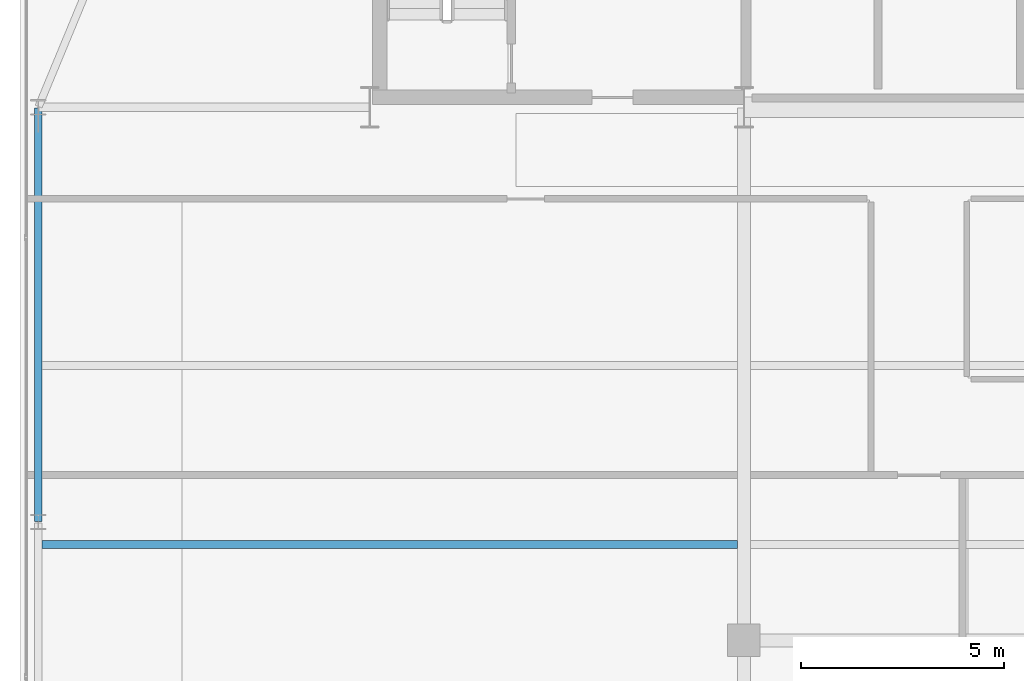
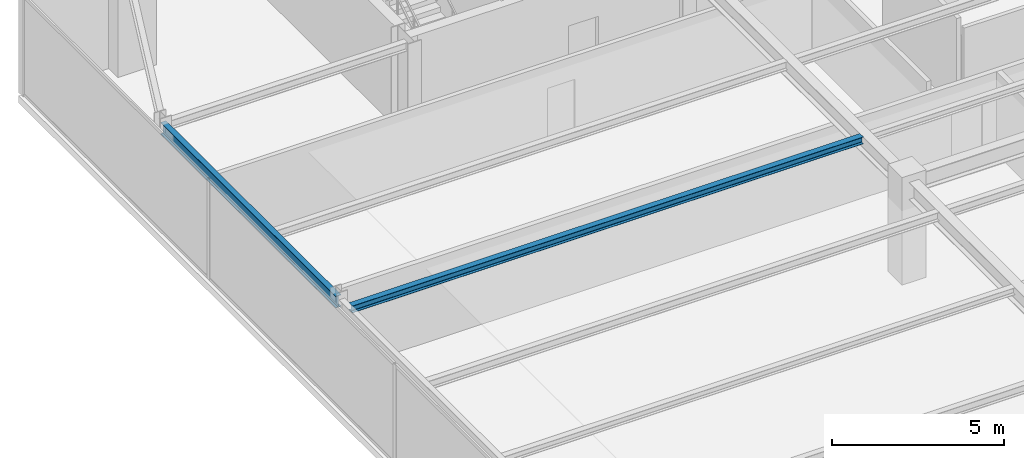
# One storey, part 11 of 31: 2 beams.
"""IFC4 building model written with IfcOpenShell, lengths in metres."""

from ifc_helpers import new_model, si_unit, direction, frame, origin, origin_2d, place, context, subcontext, project, spatial, i_section, extrude, source, transform, mapped, material, material_profile, profile_set, type_object, type_shapes, element, save


model = new_model("IFC4")

# Units and contexts
model_context = context("Model", 3, precision=1e-05, world=origin(), true_north=direction((0.0, 1.0)))
body_context = subcontext(model_context, "Body", "Model", "MODEL_VIEW")
ifc_project = project(units=[si_unit("LENGTHUNIT", "METRE"), si_unit("AREAUNIT", "SQUARE_METRE"), si_unit("VOLUMEUNIT", "CUBIC_METRE"), si_unit("PLANEANGLEUNIT", "RADIAN"), si_unit("MASSUNIT", "GRAM", prefix="KILO")], contexts=[model_context])

# Site, building, storey
site_placement = place(None, origin())
site = spatial("IfcSite", under=ifc_project, at=site_placement, CompositionType="ELEMENT")
building_placement = place(site_placement, origin())
building = spatial("IfcBuilding", under=site, at=building_placement, Name="Varnel Quay Broadcast Tower", CompositionType="ELEMENT")
storey_placement = place(building_placement, frame((0.0, 0.0, 157.199951171875)))
storey = spatial("IfcBuildingStorey", under=building, at=storey_placement, Name="L38", CompositionType="ELEMENT", Elevation=157.199951171875)

# Beams
ifc_material = material(Name="Structural Steel CSA G40.21 350W", Category="steel")
ifc_material_profile_1 = material_profile(ifc_material, i_section(OverallWidth=0.180908203125, OverallDepth=0.4169921875, WebThickness=0.010986328125, FlangeThickness=0.018310546875, FilletRadius=0.011962890625, at=origin_2d()), Name="W410X85")
ifc_profile_set_1 = profile_set([ifc_material_profile_1], Name="Structural Steel CSA G40.21 350W")
beam_type_1 = type_object("IfcBeamType", Name="Beam_W410X85", PredefinedType="SPANDREL", material=ifc_profile_set_1)
shared_shape_1 = source(origin(), body_context, "Body", "SweptSolid", [
    extrude(i_section(OverallWidth=0.180908203125, OverallDepth=0.4169921875, WebThickness=0.010986328125, FlangeThickness=0.018310546875, FilletRadius=0.011962890625, at=origin_2d()), origin(), (0.0, 0.0, 1.0), 10.16015625),
])
type_shapes(beam_type_1, [shared_shape_1])
beam_1_placement = place(storey_placement, frame((7.449951171875, 25.419921875, 3.341552734375), z_axis=(0.0, 1.0, 0.0), x_axis=(-1.0, 0.0, 0.0)))
element("IfcBeam", 1, at=beam_1_placement, inside=storey, type_object=beam_type_1, Name="L38 West Spandrel TC-W2-TC-W3", PredefinedType="SPANDREL", context=body_context, shape_type="MappedRepresentation", body=[
    mapped(shared_shape_1, transform((0.0, 0.0, 0.0), x_axis=(1.0, 0.0, 0.0), y_axis=(0.0, 1.0, 0.0), z_axis=(0.0, 0.0, 1.0), scale=1.0)),
])
ifc_material_profile_2 = material_profile(ifc_material, i_section(OverallWidth=0.201904296875, OverallDepth=0.2470703125, WebThickness=0.00732421875, FlangeThickness=0.010986328125, FilletRadius=0.010986328125, at=origin_2d()), Name="W250X49")
ifc_profile_set_2 = profile_set([ifc_material_profile_2], Name="Structural Steel CSA G40.21 350W")
beam_type_2 = type_object("IfcBeamType", Name="Beam_W250X49", PredefinedType="JOIST", material=ifc_profile_set_2)
shared_shape_2 = source(origin(), body_context, "Body", "SweptSolid", [
    extrude(i_section(OverallWidth=0.201904296875, OverallDepth=0.2470703125, WebThickness=0.00732421875, FlangeThickness=0.010986328125, FilletRadius=0.010986328125, at=origin_2d()), origin(), (0.0, 0.0, 1.0), 17.107177734375),
])
type_shapes(beam_type_2, [shared_shape_2])
beam_2_placement = place(storey_placement, frame((7.535400390625, 24.85009765625, 3.426513671875), z_axis=(1.0, 0.0, 0.0), x_axis=(0.0, 1.0, 0.0)))
element("IfcBeam", 2, at=beam_2_placement, inside=storey, type_object=beam_type_2, Name="L38 West Floor Joist 4", PredefinedType="JOIST", context=body_context, shape_type="MappedRepresentation", body=[
    mapped(shared_shape_2, transform((0.0, 0.0, 0.0), x_axis=(1.0, 0.0, 0.0), y_axis=(0.0, 1.0, 0.0), z_axis=(0.0, 0.0, 1.0), scale=1.0)),
])

save(model, "model.ifc")
